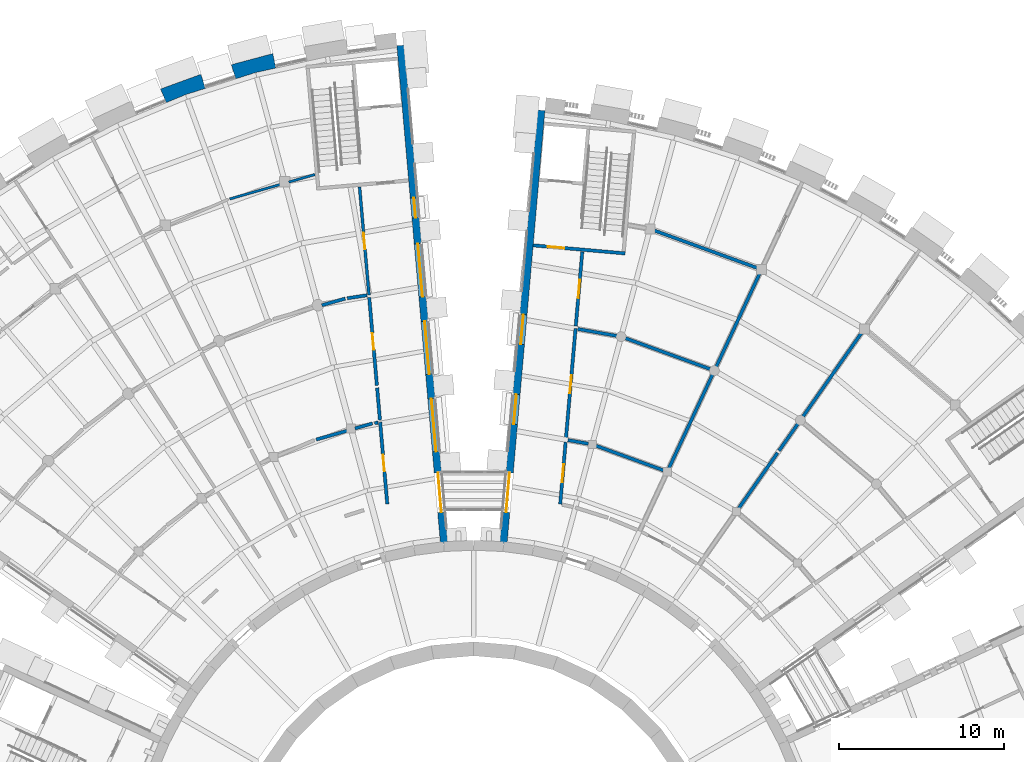
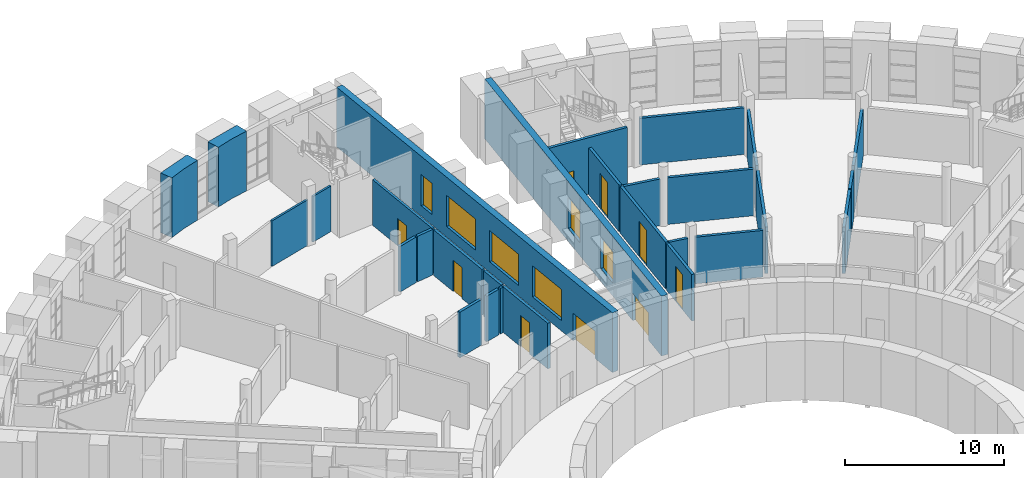
# One storey, part 48 of 66: 29 walls, 9 doors, 6 windows, 15 openings.
"""IFC4 building model written with IfcOpenShell, lengths in metres."""

from ifc_helpers import new_model, si_unit, direction, frame, frame_2d, origin, place, context, subcontext, project, spatial, polyline, rectangle, outline, extrude, material, layer, layer_set, type_object, element, fill, save


model = new_model("IFC4")

# Units and contexts
model_context = context("Model", 3, precision=1e-05, world=origin(), true_north=direction((0.0, 1.0)))
body_context = subcontext(model_context, "Body", "Model", "MODEL_VIEW")
ifc_project = project(units=[si_unit("LENGTHUNIT", "METRE"), si_unit("AREAUNIT", "SQUARE_METRE"), si_unit("VOLUMEUNIT", "CUBIC_METRE"), si_unit("PLANEANGLEUNIT", "RADIAN"), si_unit("MASSUNIT", "GRAM", prefix="KILO")], contexts=[model_context])

# Site, building, storey
site_placement = place(None, origin())
site = spatial("IfcSite", under=ifc_project, at=site_placement, CompositionType="ELEMENT")
building_placement = place(site_placement, origin())
building = spatial("IfcBuilding", under=site, at=building_placement, Name="Volute Hill Aquarium", CompositionType="ELEMENT")
storey_placement = place(building_placement, frame((0.0, 0.0, 4.60009765625)))
storey = spatial("IfcBuildingStorey", under=building, at=storey_placement, Name="L02", CompositionType="ELEMENT", Elevation=4.60009765625)

# Walls
ifc_material_1 = material(Name="Gypsum board on steel studs", Category="steel")
ifc_layer_1 = layer(ifc_material_1, 0.14990234375)
ifc_layer_set_1 = layer_set([ifc_layer_1], Name="Acoustic partition 150")
wall_type_1 = type_object("IfcWallType", Name="Acoustic partition 150", PredefinedType="PARTITIONING", material=ifc_layer_set_1)
wall_1_placement = place(storey_placement, frame((-14.791259765625, 41.697509765625, 0.0), z_axis=(0.0, 0.0, 1.0), x_axis=(0.961256048299, 0.275657050715, 0.0)))
element("IfcWall", 1, at=wall_1_placement, inside=storey, type_object=wall_type_1, Name="pw/S6/L02/023", PredefinedType="PARTITIONING", context=body_context, shape_type="SweptSolid", body=[
    extrude(rectangle(XDim=3.2724609375, YDim=0.14990234375, at=frame_2d((1.63623046875, 0.0))), origin(), (0.0, 0.0, 1.0), 3.510009765625),
])
wall_2_placement = place(storey_placement, frame((-11.213623046875, 42.7236328125, 0.0), z_axis=(0.0, 0.0, 1.0), x_axis=(0.961266301996, 0.275621292078, 0.0)))
element("IfcWall", 2, at=wall_2_placement, inside=storey, type_object=wall_type_1, Name="pw/S6/L02/039", PredefinedType="PARTITIONING", context=body_context, shape_type="SweptSolid", body=[
    extrude(rectangle(XDim=1.6474609375, YDim=0.14990234375, at=frame_2d((0.82373046875, 0.0))), origin(), (0.0, 0.0, 1.0), 3.510009765625),
])

# Wall, opening, door
ifc_material_2 = material(Name="Concrete C30/37", Category="concrete")
ifc_layer_2 = layer(ifc_material_2, 0.199951171875)
ifc_layer_set_2 = layer_set([ifc_layer_2], Name="Core wall 200 REI 60")
wall_type_2 = type_object("IfcWallType", Name="Core wall 200 REI 60", PredefinedType="SHEAR", material=ifc_layer_set_2)
wall_3_placement = place(storey_placement, frame((3.602783203125, 38.884033203125, 0.0), z_axis=(0.0, 0.0, 1.0), x_axis=(0.996195137027, -0.087150725554, 0.0)))
wall_3 = element("IfcWall", 3, at=wall_3_placement, inside=storey, type_object=wall_type_2, Name="wc/S5-B/L02/in", PredefinedType="SHEAR", context=body_context, shape_type="SweptSolid", body=[
    extrude(rectangle(XDim=5.599853515625, YDim=0.199951171875, at=frame_2d((2.7998046875, 0.0))), origin(), (0.0, 0.0, 1.0), 4.349853515625),
])
opening_1_placement = place(wall_3_placement, frame((0.89990234375, 0.0, 0.0)))
opening_1 = element("IfcOpeningElement", 4, at=opening_1_placement, cuts=wall_3, Name="Opening D5.02.BS", PredefinedType="OPENING", context=body_context, shape_type="SweptSolid", body=[
    extrude(rectangle(XDim=1.0, YDim=2.10009765625, at=frame_2d((0.5, 1.050048828125))), frame((0.0, 0.10986328125, 0.0), z_axis=(0.0, -1.0, 0.0), x_axis=(1.0, 0.0, 0.0)), (0.0, 0.0, 1.0), 0.219970703125),
])
ifc_material_3 = material(Name="Timber, fire-rated", Category="wood")
door_type_1 = type_object("IfcDoorType", Name="Door 1000 x 2100 single EI1 30", OperationType="SINGLE_SWING_LEFT", PredefinedType="DOOR", material=ifc_material_3)
door_1_placement = place(opening_1_placement, origin())
door_1 = element("IfcDoor", 5, at=door_1_placement, inside=storey, type_object=door_type_1, Name="d/S5-B/L02/st", OperationType="SINGLE_SWING_RIGHT", OverallHeight=2.10009765625, OverallWidth=1.0, PredefinedType="DOOR", context=body_context, shape_type="SweptSolid", body=[
    extrude(rectangle(XDim=1.0, YDim=2.10009765625, at=frame_2d((0.5, 1.050048828125))), frame((0.0, 0.02490234375, 0.0), z_axis=(0.0, -1.0, 0.0), x_axis=(1.0, 0.0, 0.0)), (0.0, 0.0, 1.0), 0.050048828125),
])
fill(opening_1, door_1)

ifc_material_4 = material(Name="Gypsum board on steel studs", Category="steel")
ifc_layer_3 = layer(ifc_material_4, 0.175048828125)
ifc_layer_set_3 = layer_set([ifc_layer_3], Name="Corridor partition 175 EI 60")
wall_type_3 = type_object("IfcWallType", Name="Corridor partition 175 EI 60", PredefinedType="PARTITIONING", material=ifc_layer_set_3)
wall_4_placement = place(storey_placement, frame((-6.35107421875, 35.8779296875, 0.0), z_axis=(0.0, 0.0, 1.0), x_axis=(-0.087183992952, 0.996192226115, 0.0)))
wall_4 = element("IfcWall", 6, at=wall_4_placement, inside=storey, type_object=wall_type_3, Name="pw/S6/L02/007", PredefinedType="PARTITIONING", context=body_context, shape_type="SweptSolid", body=[
    extrude(rectangle(XDim=6.5751953125, YDim=0.175048828125, at=frame_2d((3.28759765625, 0.0))), origin(), (0.0, 0.0, 1.0), 3.510009765625),
])
opening_2_placement = place(wall_4_placement, frame((2.78759765625, 0.0, 0.0)))
opening_2 = element("IfcOpeningElement", 7, at=opening_2_placement, cuts=wall_4, Name="Opening D6.02.05", PredefinedType="OPENING", context=body_context, shape_type="SweptSolid", body=[
    extrude(rectangle(XDim=1.0, YDim=2.10009765625, at=frame_2d((0.5, 1.050048828125))), frame((0.0, 0.097412109375, 0.0), z_axis=(0.0, -1.0, 0.0), x_axis=(1.0, 0.0, 0.0)), (0.0, 0.0, 1.0), 0.195068359375),
])
door_2_placement = place(opening_2_placement, origin())
door_2 = element("IfcDoor", 8, at=door_2_placement, inside=storey, type_object=door_type_1, Name="d/S6/L02/05", OperationType="SINGLE_SWING_LEFT", OverallHeight=2.10009765625, OverallWidth=1.0, PredefinedType="DOOR", context=body_context, shape_type="SweptSolid", body=[
    extrude(rectangle(XDim=1.0, YDim=2.10009765625, at=frame_2d((0.5, 1.050048828125))), frame((0.0, 0.02490234375, 0.0), z_axis=(0.0, -1.0, 0.0), x_axis=(1.0, 0.0, 0.0)), (0.0, 0.0, 1.0), 0.050048828125),
])
fill(opening_2, door_2)

# Wall, openings, door, windows
ifc_material_5 = material(Name="Concrete C35/45", Category="concrete")
ifc_layer_4 = layer(ifc_material_5, 0.449951171875)
ifc_layer_set_4 = layer_set([ifc_layer_4], Name="End wall 450 C35/45")
wall_type_4 = type_object("IfcWallType", Name="End wall 450 C35/45", PredefinedType="SHEAR", material=ifc_layer_set_4)
wall_5_placement = place(storey_placement, frame((1.796630859375, 20.822509765625, 0.0), z_axis=(0.0, 0.0, 1.0), x_axis=(0.087157755473, 0.996194521999, 0.0)))
wall_5 = element("IfcWall", 9, at=wall_5_placement, inside=storey, type_object=wall_type_4, Name="sw/S5/L02/endB", PredefinedType="SHEAR", context=body_context, shape_type="SweptSolid", body=[
    extrude(rectangle(XDim=26.350341796875, YDim=0.449951171875, at=frame_2d((13.17529296875, 0.0))), origin(), (0.0, 0.0, 1.0), 4.599853515625),
])
opening_3_placement = place(wall_5_placement, frame((7.252197265625, 0.0, 1.0)))
opening_3 = element("IfcOpeningElement", 10, at=opening_3_placement, cuts=wall_5, Name="Opening W13", PredefinedType="OPENING", context=body_context, shape_type="SweptSolid", body=[
    extrude(rectangle(XDim=1.800048828125, YDim=2.39990234375, at=frame_2d((0.89990234375, 1.199951171875))), frame((0.0, 0.23486328125, 0.0), z_axis=(0.0, -1.0, 0.0), x_axis=(1.0, 0.0, 0.0)), (0.0, 0.0, 1.0), 0.469970703125),
])
opening_4_placement = place(wall_5_placement, frame((12.1181640625, 0.0, 1.0)))
opening_4 = element("IfcOpeningElement", 11, at=opening_4_placement, cuts=wall_5, Name="Opening W13", PredefinedType="OPENING", context=body_context, shape_type="SweptSolid", body=[
    extrude(rectangle(XDim=1.800048828125, YDim=2.39990234375, at=frame_2d((0.89990234375, 1.199951171875))), frame((0.0, 0.23486328125, 0.0), z_axis=(0.0, -1.0, 0.0), x_axis=(1.0, 0.0, 0.0)), (0.0, 0.0, 1.0), 0.469970703125),
])
opening_5_placement = place(wall_5_placement, frame((1.900146484375, 0.0, 0.0)))
opening_5 = element("IfcOpeningElement", 12, at=opening_5_placement, cuts=wall_5, Name="Opening D5.02.BB", PredefinedType="OPENING", context=body_context, shape_type="SweptSolid", body=[
    extrude(rectangle(XDim=2.39990234375, YDim=2.10009765625, at=frame_2d((1.199951171875, 1.050048828125))), frame((0.0, 0.23486328125, 0.0), z_axis=(0.0, -1.0, 0.0), x_axis=(1.0, 0.0, 0.0)), (0.0, 0.0, 1.0), 0.469970703125),
])
ifc_material_6 = material(Name="Timber", Category="wood")
door_type_2 = type_object("IfcDoorType", Name="Door 2400 x 2100 bridge double", OperationType="DOUBLE_DOOR_SINGLE_SWING", PredefinedType="DOOR", material=ifc_material_6)
door_3_placement = place(opening_5_placement, origin())
door_3 = element("IfcDoor", 13, at=door_3_placement, inside=storey, type_object=door_type_2, Name="d/S5/L02/brB", OperationType="SINGLE_SWING_LEFT", OverallHeight=2.10009765625, OverallWidth=2.39990234375, PredefinedType="DOOR", context=body_context, shape_type="SweptSolid", body=[
    extrude(rectangle(XDim=2.39990234375, YDim=2.10009765625, at=frame_2d((1.199951171875, 1.050048828125))), frame((0.0, 0.02490234375, 0.0), z_axis=(0.0, -1.0, 0.0), x_axis=(1.0, 0.0, 0.0)), (0.0, 0.0, 1.0), 0.050048828125),
])
fill(opening_5, door_3)
ifc_material_7 = material(Name="Aluminium and glass", Category="aluminium")
window_type_1 = type_object("IfcWindowType", Name="End wall window 1800x2400", PartitioningType="SINGLE_PANEL", PredefinedType="WINDOW", material=ifc_material_7)
window_1_placement = place(opening_3_placement, origin())
window_1 = element("IfcWindow", 14, at=window_1_placement, inside=storey, type_object=window_type_1, Name="End wall window S5B L02 2.1", OverallHeight=2.39990234375, OverallWidth=1.800048828125, PartitioningType="SINGLE_PANEL", PredefinedType="WINDOW", context=body_context, shape_type="SweptSolid", body=[
    extrude(rectangle(XDim=1.800048828125, YDim=2.39990234375, at=frame_2d((0.89990234375, 1.199951171875))), frame((0.0, 0.030029296875, 0.0), z_axis=(0.0, -1.0, 0.0), x_axis=(1.0, 0.0, 0.0)), (0.0, 0.0, 1.0), 0.06005859375),
])
fill(opening_3, window_1)
window_2_placement = place(opening_4_placement, origin())
window_2 = element("IfcWindow", 15, at=window_2_placement, inside=storey, type_object=window_type_1, Name="End wall window S5B L02 3.1", OverallHeight=2.39990234375, OverallWidth=1.800048828125, PartitioningType="SINGLE_PANEL", PredefinedType="WINDOW", context=body_context, shape_type="SweptSolid", body=[
    extrude(rectangle(XDim=1.800048828125, YDim=2.39990234375, at=frame_2d((0.89990234375, 1.199951171875))), frame((0.0, 0.030029296875, 0.0), z_axis=(0.0, -1.0, 0.0), x_axis=(1.0, 0.0, 0.0)), (0.0, 0.0, 1.0), 0.06005859375),
])
fill(opening_4, window_2)

wall_6_placement = place(storey_placement, frame((-1.796630859375, 20.822509765625, 0.0), z_axis=(0.0, 0.0, 1.0), x_axis=(-0.087157054987, 0.996194583285, 0.0)))
wall_6 = element("IfcWall", 16, at=wall_6_placement, inside=storey, type_object=wall_type_4, Name="sw/S6/L02/endA", PredefinedType="SHEAR", context=body_context, shape_type="SweptSolid", body=[
    extrude(rectangle(XDim=30.300048828125, YDim=0.449951171875, at=frame_2d((15.14990234375, 0.0))), origin(), (0.0, 0.0, 1.0), 4.599853515625),
])
opening_6_placement = place(wall_6_placement, frame((5.583251953125, 0.0, 0.800048828125)))
opening_6 = element("IfcOpeningElement", 17, at=opening_6_placement, cuts=wall_6, Name="Opening W15", PredefinedType="OPENING", context=body_context, shape_type="SweptSolid", body=[
    extrude(rectangle(XDim=3.21337890625, YDim=2.39990234375, at=frame_2d((1.606689453125, 1.199951171875))), frame((0.0, 0.23486328125, 0.0), z_axis=(0.0, -1.0, 0.0), x_axis=(1.0, 0.0, 0.0)), (0.0, 0.0, 1.0), 0.469970703125),
])
opening_7_placement = place(wall_6_placement, frame((10.296630859375, 0.0, 0.800048828125)))
opening_7 = element("IfcOpeningElement", 18, at=opening_7_placement, cuts=wall_6, Name="Opening W15", PredefinedType="OPENING", context=body_context, shape_type="SweptSolid", body=[
    extrude(rectangle(XDim=3.21337890625, YDim=2.39990234375, at=frame_2d((1.606689453125, 1.199951171875))), frame((0.0, 0.23486328125, 0.0), z_axis=(0.0, -1.0, 0.0), x_axis=(1.0, 0.0, 0.0)), (0.0, 0.0, 1.0), 0.469970703125),
])
opening_8_placement = place(wall_6_placement, frame((15.010009765625, 0.0, 0.800048828125)))
opening_8 = element("IfcOpeningElement", 19, at=opening_8_placement, cuts=wall_6, Name="Opening W15", PredefinedType="OPENING", context=body_context, shape_type="SweptSolid", body=[
    extrude(rectangle(XDim=3.21337890625, YDim=2.39990234375, at=frame_2d((1.606689453125, 1.199951171875))), frame((0.0, 0.23486328125, 0.0), z_axis=(0.0, -1.0, 0.0), x_axis=(1.0, 0.0, 0.0)), (0.0, 0.0, 1.0), 0.469970703125),
])
opening_9_placement = place(wall_6_placement, frame((19.816650390625, 0.0, 0.800048828125)))
opening_9 = element("IfcOpeningElement", 20, at=opening_9_placement, cuts=wall_6, Name="Opening W16", PredefinedType="OPENING", context=body_context, shape_type="SweptSolid", body=[
    extrude(rectangle(XDim=1.199951171875, YDim=2.39990234375, at=frame_2d((0.60009765625, 1.199951171875))), frame((0.0, 0.23486328125, 0.0), z_axis=(0.0, -1.0, 0.0), x_axis=(1.0, 0.0, 0.0)), (0.0, 0.0, 1.0), 0.469970703125),
])
opening_10_placement = place(wall_6_placement, frame((1.900146484375, 0.0, 0.0)))
opening_10 = element("IfcOpeningElement", 21, at=opening_10_placement, cuts=wall_6, Name="Opening D6.02.BA", PredefinedType="OPENING", context=body_context, shape_type="SweptSolid", body=[
    extrude(rectangle(XDim=2.39990234375, YDim=2.10009765625, at=frame_2d((1.199951171875, 1.050048828125))), frame((0.0, 0.23486328125, 0.0), z_axis=(0.0, -1.0, 0.0), x_axis=(1.0, 0.0, 0.0)), (0.0, 0.0, 1.0), 0.469970703125),
])
door_4_placement = place(opening_10_placement, origin())
door_4 = element("IfcDoor", 22, at=door_4_placement, inside=storey, type_object=door_type_2, Name="d/S6/L02/brA", OperationType="SINGLE_SWING_LEFT", OverallHeight=2.10009765625, OverallWidth=2.39990234375, PredefinedType="DOOR", context=body_context, shape_type="SweptSolid", body=[
    extrude(rectangle(XDim=2.39990234375, YDim=2.10009765625, at=frame_2d((1.199951171875, 1.050048828125))), frame((0.0, 0.02490234375, 0.0), z_axis=(0.0, -1.0, 0.0), x_axis=(1.0, 0.0, 0.0)), (0.0, 0.0, 1.0), 0.050048828125),
])
fill(opening_10, door_4)
ifc_material_8 = material(Name="Aluminium and glass", Category="aluminium")
window_type_2 = type_object("IfcWindowType", Name="End wall window 1200x2400", PartitioningType="SINGLE_PANEL", PredefinedType="WINDOW", material=ifc_material_8)
window_3_placement = place(opening_9_placement, origin())
window_3 = element("IfcWindow", 23, at=window_3_placement, inside=storey, type_object=window_type_2, Name="End wall window S6A L02 5.1", OverallHeight=2.39990234375, OverallWidth=1.199951171875, PartitioningType="SINGLE_PANEL", PredefinedType="WINDOW", context=body_context, shape_type="SweptSolid", body=[
    extrude(rectangle(XDim=1.199951171875, YDim=2.39990234375, at=frame_2d((0.60009765625, 1.199951171875))), frame((0.0, 0.030029296875, 0.0), z_axis=(0.0, -1.0, 0.0), x_axis=(1.0, 0.0, 0.0)), (0.0, 0.0, 1.0), 0.06005859375),
])
fill(opening_9, window_3)
ifc_material_9 = material(Name="Aluminium and glass", Category="aluminium")
window_type_3 = type_object("IfcWindowType", Name="End wall window 3213x2400", PartitioningType="SINGLE_PANEL", PredefinedType="WINDOW", material=ifc_material_9)
window_4_placement = place(opening_6_placement, origin())
window_4 = element("IfcWindow", 24, at=window_4_placement, inside=storey, type_object=window_type_3, Name="End wall window S6A L02 2.1", OverallHeight=2.39990234375, OverallWidth=3.21337890625, PartitioningType="SINGLE_PANEL", PredefinedType="WINDOW", context=body_context, shape_type="SweptSolid", body=[
    extrude(rectangle(XDim=3.21337890625, YDim=2.39990234375, at=frame_2d((1.606689453125, 1.199951171875))), frame((0.0, 0.030029296875, 0.0), z_axis=(0.0, -1.0, 0.0), x_axis=(1.0, 0.0, 0.0)), (0.0, 0.0, 1.0), 0.06005859375),
])
fill(opening_6, window_4)
window_5_placement = place(opening_7_placement, origin())
window_5 = element("IfcWindow", 25, at=window_5_placement, inside=storey, type_object=window_type_3, Name="End wall window S6A L02 3.1", OverallHeight=2.39990234375, OverallWidth=3.21337890625, PartitioningType="SINGLE_PANEL", PredefinedType="WINDOW", context=body_context, shape_type="SweptSolid", body=[
    extrude(rectangle(XDim=3.21337890625, YDim=2.39990234375, at=frame_2d((1.606689453125, 1.199951171875))), frame((0.0, 0.030029296875, 0.0), z_axis=(0.0, -1.0, 0.0), x_axis=(1.0, 0.0, 0.0)), (0.0, 0.0, 1.0), 0.06005859375),
])
fill(opening_7, window_5)
window_6_placement = place(opening_8_placement, origin())
window_6 = element("IfcWindow", 26, at=window_6_placement, inside=storey, type_object=window_type_3, Name="End wall window S6A L02 4.1", OverallHeight=2.39990234375, OverallWidth=3.21337890625, PartitioningType="SINGLE_PANEL", PredefinedType="WINDOW", context=body_context, shape_type="SweptSolid", body=[
    extrude(rectangle(XDim=3.21337890625, YDim=2.39990234375, at=frame_2d((1.606689453125, 1.199951171875))), frame((0.0, 0.030029296875, 0.0), z_axis=(0.0, -1.0, 0.0), x_axis=(1.0, 0.0, 0.0)), (0.0, 0.0, 1.0), 0.06005859375),
])
fill(opening_8, window_6)

# Wall, opening, door
ifc_material_10 = material(Name="Masonry blockwork", Category="masonry")
ifc_layer_5 = layer(ifc_material_10, 0.199951171875)
ifc_layer_set_5 = layer_set([ifc_layer_5], Name="Fire partition 200 EI 60")
wall_type_5 = type_object("IfcWallType", Name="Fire partition 200 EI 60", PredefinedType="PARTITIONING", material=ifc_layer_set_5)
wall_7_placement = place(storey_placement, frame((6.17236328125, 33.835693359375, 0.0), z_axis=(0.0, 0.0, 1.0), x_axis=(-0.087153066589, -0.996194932222, 0.0)))
wall_7 = element("IfcWall", 27, at=wall_7_placement, inside=storey, type_object=wall_type_5, Name="pw/S5/L02/001", PredefinedType="PARTITIONING", context=body_context, shape_type="SweptSolid", body=[
    extrude(rectangle(XDim=6.76220703125, YDim=0.199951171875, at=frame_2d((3.381103515625, 0.0))), origin(), (0.0, 0.0, 1.0), 3.58984375),
])
opening_11_placement = place(wall_7_placement, frame((2.831298828125, 0.0, 0.0)))
opening_11 = element("IfcOpeningElement", 28, at=opening_11_placement, cuts=wall_7, Name="Opening D5.02.05", PredefinedType="OPENING", context=body_context, shape_type="SweptSolid", body=[
    extrude(rectangle(XDim=1.10009765625, YDim=2.699951171875, at=frame_2d((0.550048828125, 1.35009765625))), frame((0.0, 0.10986328125, 0.0), z_axis=(0.0, -1.0, 0.0), x_axis=(1.0, 0.0, 0.0)), (0.0, 0.0, 1.0), 0.219970703125),
])
ifc_material_11 = material(Name="Steel, fire-rated", Category="steel")
door_type_3 = type_object("IfcDoorType", Name="Door 1100 x 2700 animal care EI1 30", OperationType="SINGLE_SWING_LEFT", PredefinedType="DOOR", material=ifc_material_11)
door_5_placement = place(opening_11_placement, origin())
door_5 = element("IfcDoor", 29, at=door_5_placement, inside=storey, type_object=door_type_3, Name="d/S5/L02/05", OperationType="SINGLE_SWING_LEFT", OverallHeight=2.699951171875, OverallWidth=1.10009765625, PredefinedType="DOOR", context=body_context, shape_type="SweptSolid", body=[
    extrude(rectangle(XDim=1.10009765625, YDim=2.699951171875, at=frame_2d((0.550048828125, 1.35009765625))), frame((0.0, 0.02490234375, 0.0), z_axis=(0.0, -1.0, 0.0), x_axis=(1.0, 0.0, 0.0)), (0.0, 0.0, 1.0), 0.050048828125),
])
fill(opening_11, door_5)

# Walls
wall_8_placement = place(storey_placement, frame((10.911376953125, 39.798583984375, 0.0), z_axis=(0.0, 0.0, 1.0), x_axis=(0.939697881893, -0.342005688208, 0.0)))
element("IfcWall", 30, at=wall_8_placement, inside=storey, type_object=wall_type_5, Name="pw/S5/L02/002", PredefinedType="PARTITIONING", context=body_context, shape_type="SweptSolid", body=[
    extrude(rectangle(XDim=6.71728515625, YDim=0.199951171875, at=frame_2d((3.358642578125, 0.0))), origin(), (0.0, 0.0, 1.0), 3.58984375),
])
wall_9_placement = place(storey_placement, frame((14.692138671875, 31.507568359375, 0.0), z_axis=(0.0, 0.0, 1.0), x_axis=(0.422645077375, 0.906295282218, 0.0)))
element("IfcWall", 31, at=wall_9_placement, inside=storey, type_object=wall_type_5, Name="pw/S5/L02/004", PredefinedType="PARTITIONING", context=body_context, shape_type="SweptSolid", body=[
    extrude(rectangle(XDim=6.283203125, YDim=0.199951171875, at=frame_2d((3.1416015625, 0.0))), origin(), (0.0, 0.0, 1.0), 3.58984375),
])
for number, where, z_axis, x_axis, name in (
    (32, (11.834228515625, 25.378662109375, 0.0), (0.0, 0.0, 1.0), (0.42261316076, 0.906310165646, 0.0), "pw/S5/L02/005"),
    (33, (23.5439453125, 33.624267578125, 0.0), (0.0, 0.0, 1.0), (-0.573574477874, -0.819153415626, 0.0), "pw/S5/L02/006"),
):
    element("IfcWall", number, at=place(storey_placement, frame(where, z_axis=z_axis, x_axis=x_axis)), inside=storey, type_object=wall_type_5, Name=name, PredefinedType="PARTITIONING", context=body_context, shape_type="SweptSolid", body=[
        extrude(rectangle(XDim=6.282958984375, YDim=0.199951171875, at=frame_2d((3.1416015625, 0.0))), origin(), (0.0, 0.0, 1.0), 3.58984375),
    ])
wall_10_placement = place(storey_placement, frame((9.160888671875, 33.2666015625, 0.0), z_axis=(0.0, 0.0, 1.0), x_axis=(0.939694284746, -0.342015571599, 0.0)))
element("IfcWall", 34, at=wall_10_placement, inside=storey, type_object=wall_type_5, Name="pw/S5/L02/009", PredefinedType="PARTITIONING", context=body_context, shape_type="SweptSolid", body=[
    extrude(rectangle(XDim=5.53857421875, YDim=0.199951171875, at=frame_2d((2.769287109375, 0.0))), origin(), (0.0, 0.0, 1.0), 3.58984375),
])

# Wall, opening, door
wall_11_placement = place(storey_placement, frame((6.579833984375, 38.492919921875, 0.0), z_axis=(0.0, 0.0, 1.0), x_axis=(-0.087139507724, -0.996196118339, 0.0)))
wall_11 = element("IfcWall", 35, at=wall_11_placement, inside=storey, type_object=wall_type_5, Name="pw/S5/L02/011", PredefinedType="PARTITIONING", context=body_context, shape_type="SweptSolid", body=[
    extrude(rectangle(XDim=4.524658203125, YDim=0.199951171875, at=frame_2d((2.26220703125, 0.0))), origin(), (0.0, 0.0, 1.0), 3.58984375),
])
opening_12_placement = place(wall_11_placement, frame((1.71240234375, 0.0, 0.0)))
opening_12 = element("IfcOpeningElement", 36, at=opening_12_placement, cuts=wall_11, Name="Opening D5.02.07", PredefinedType="OPENING", context=body_context, shape_type="SweptSolid", body=[
    extrude(rectangle(XDim=1.10009765625, YDim=2.699951171875, at=frame_2d((0.550048828125, 1.35009765625))), frame((0.0, 0.10986328125, 0.0), z_axis=(0.0, -1.0, 0.0), x_axis=(1.0, 0.0, 0.0)), (0.0, 0.0, 1.0), 0.219970703125),
])
door_6_placement = place(opening_12_placement, origin())
door_6 = element("IfcDoor", 37, at=door_6_placement, inside=storey, type_object=door_type_3, Name="d/S5/L02/07", OperationType="SINGLE_SWING_LEFT", OverallHeight=2.699951171875, OverallWidth=1.10009765625, PredefinedType="DOOR", context=body_context, shape_type="SweptSolid", body=[
    extrude(rectangle(XDim=1.10009765625, YDim=2.699951171875, at=frame_2d((0.550048828125, 1.35009765625))), frame((0.0, 0.02490234375, 0.0), z_axis=(0.0, -1.0, 0.0), x_axis=(1.0, 0.0, 0.0)), (0.0, 0.0, 1.0), 0.050048828125),
])
fill(opening_12, door_6)

# Walls
wall_12_placement = place(storey_placement, frame((7.410888671875, 26.734619140625, 0.0), z_axis=(0.0, 0.0, 1.0), x_axis=(0.939682191011, -0.342048797538, 0.0)))
element("IfcWall", 38, at=wall_12_placement, inside=storey, type_object=wall_type_5, Name="pw/S5/L02/014", PredefinedType="PARTITIONING", context=body_context, shape_type="SweptSolid", body=[
    extrude(rectangle(XDim=4.359619140625, YDim=0.199951171875, at=frame_2d((2.1796875, 0.0))), origin(), (0.0, 0.0, 1.0), 3.58984375),
])
wall_13_placement = place(storey_placement, frame((18.421142578125, 26.30810546875, 0.0), z_axis=(0.0, 0.0, 1.0), x_axis=(-0.573589781111, -0.819142700026, 0.0)))
element("IfcWall", 39, at=wall_13_placement, inside=storey, type_object=wall_type_5, Name="pw/S5/L02/016", PredefinedType="PARTITIONING", context=body_context, shape_type="SweptSolid", body=[
    extrude(rectangle(XDim=4.1142578125, YDim=0.199951171875, at=frame_2d((2.05712890625, 0.0))), origin(), (0.0, 0.0, 1.0), 3.58984375),
])

# Wall, opening, door
wall_14_placement = place(storey_placement, frame((5.570068359375, 26.94970703125, 0.0), z_axis=(0.0, 0.0, 1.0), x_axis=(-0.087196662223, -0.996191117255, 0.0)))
wall_14 = element("IfcWall", 40, at=wall_14_placement, inside=storey, type_object=wall_type_5, Name="pw/S5/L02/018", PredefinedType="PARTITIONING", context=body_context, shape_type="SweptSolid", body=[
    extrude(rectangle(XDim=3.771484375, YDim=0.199951171875, at=frame_2d((1.8857421875, 0.0))), origin(), (0.0, 0.0, 1.0), 3.58984375),
])
opening_13_placement = place(wall_14_placement, frame((1.335693359375, 0.0, 0.0)))
opening_13 = element("IfcOpeningElement", 41, at=opening_13_placement, cuts=wall_14, Name="Opening D5.02.03", PredefinedType="OPENING", context=body_context, shape_type="SweptSolid", body=[
    extrude(rectangle(XDim=1.10009765625, YDim=2.699951171875, at=frame_2d((0.550048828125, 1.35009765625))), frame((0.0, 0.10986328125, 0.0), z_axis=(0.0, -1.0, 0.0), x_axis=(1.0, 0.0, 0.0)), (0.0, 0.0, 1.0), 0.219970703125),
])
door_7_placement = place(opening_13_placement, origin())
door_7 = element("IfcDoor", 42, at=door_7_placement, inside=storey, type_object=door_type_3, Name="d/S5/L02/03", OperationType="SINGLE_SWING_LEFT", OverallHeight=2.699951171875, OverallWidth=1.10009765625, PredefinedType="DOOR", context=body_context, shape_type="SweptSolid", body=[
    extrude(rectangle(XDim=1.10009765625, YDim=2.699951171875, at=frame_2d((0.550048828125, 1.35009765625))), frame((0.0, 0.02490234375, 0.0), z_axis=(0.0, -1.0, 0.0), x_axis=(1.0, 0.0, 0.0)), (0.0, 0.0, 1.0), 0.050048828125),
])
fill(opening_13, door_7)

# Walls
wall_15_placement = place(storey_placement, frame((6.300537109375, 33.813232421875, 0.0), z_axis=(0.0, 0.0, 1.0), x_axis=(0.984800706445, -0.173688135993, 0.0)))
element("IfcWall", 43, at=wall_15_placement, inside=storey, type_object=wall_type_5, Name="pw/S5/L02/021", PredefinedType="PARTITIONING", context=body_context, shape_type="SweptSolid", body=[
    extrude(rectangle(XDim=2.43603515625, YDim=0.199951171875, at=frame_2d((1.218017578125, 0.0))), origin(), (0.0, 0.0, 1.0), 3.58984375),
])
wall_16_placement = place(storey_placement, frame((19.665283203125, 28.084716796875, 0.0), z_axis=(0.0, 0.0, 1.0), x_axis=(-0.573697690177, -0.819067128071, 0.0)))
element("IfcWall", 44, at=wall_16_placement, inside=storey, type_object=wall_type_5, Name="pw/S5/L02/024", PredefinedType="PARTITIONING", context=body_context, shape_type="SweptSolid", body=[
    extrude(rectangle(XDim=2.018798828125, YDim=0.199951171875, at=frame_2d((1.00927734375, 0.0))), origin(), (0.0, 0.0, 1.0), 3.58984375),
])
wall_17_placement = place(storey_placement, frame((5.711181640625, 27.076416015625, 0.0), z_axis=(0.0, 0.0, 1.0), x_axis=(0.984812871034, -0.173619149419, 0.0)))
element("IfcWall", 45, at=wall_17_placement, inside=storey, type_object=wall_type_5, Name="pw/S5/L02/031", PredefinedType="PARTITIONING", context=body_context, shape_type="SweptSolid", body=[
    extrude(rectangle(XDim=1.257080078125, YDim=0.199951171875, at=frame_2d((0.62841796875, 0.0))), origin(), (0.0, 0.0, 1.0), 3.58984375),
])

# Wall, opening, door
wall_18_placement = place(storey_placement, frame((-5.87158203125, 30.396728515625, 0.0), z_axis=(0.0, 0.0, 1.0), x_axis=(-0.087125642308, 0.996197331081, 0.0)))
wall_18 = element("IfcWall", 46, at=wall_18_placement, inside=storey, type_object=wall_type_5, Name="pw/S6/L02/010", PredefinedType="PARTITIONING", context=body_context, shape_type="SweptSolid", body=[
    extrude(rectangle(XDim=5.35205078125, YDim=0.199951171875, at=frame_2d((2.676025390625, 0.0))), origin(), (0.0, 0.0, 1.0), 3.510009765625),
])
opening_14_placement = place(wall_18_placement, frame((2.176025390625, 0.0, 0.0)))
opening_14 = element("IfcOpeningElement", 47, at=opening_14_placement, cuts=wall_18, Name="Opening D6.02.03", PredefinedType="OPENING", context=body_context, shape_type="SweptSolid", body=[
    extrude(rectangle(XDim=1.0, YDim=2.39990234375, at=frame_2d((0.5, 1.199951171875))), frame((0.0, 0.10986328125, 0.0), z_axis=(0.0, -1.0, 0.0), x_axis=(1.0, 0.0, 0.0)), (0.0, 0.0, 1.0), 0.219970703125),
])
ifc_material_12 = material(Name="Steel, fire-rated", Category="steel")
door_type_4 = type_object("IfcDoorType", Name="Door 1000 x 2400 laboratory EI1 30", OperationType="SINGLE_SWING_LEFT", PredefinedType="DOOR", material=ifc_material_12)
door_8_placement = place(opening_14_placement, origin())
door_8 = element("IfcDoor", 48, at=door_8_placement, inside=storey, type_object=door_type_4, Name="d/S6/L02/03", OperationType="SINGLE_SWING_LEFT", OverallHeight=2.39990234375, OverallWidth=1.0, PredefinedType="DOOR", context=body_context, shape_type="SweptSolid", body=[
    extrude(rectangle(XDim=1.0, YDim=2.39990234375, at=frame_2d((0.5, 1.199951171875))), frame((0.0, 0.02490234375, 0.0), z_axis=(0.0, -1.0, 0.0), x_axis=(1.0, 0.0, 0.0)), (0.0, 0.0, 1.0), 0.050048828125),
])
fill(opening_14, door_8)

wall_19_placement = place(storey_placement, frame((-5.2421875, 23.202392578125, 0.0), z_axis=(0.0, 0.0, 1.0), x_axis=(-0.087171821309, 0.996193291269, 0.0)))
wall_19 = element("IfcWall", 49, at=wall_19_placement, inside=storey, type_object=wall_type_5, Name="pw/S6/L02/012", PredefinedType="PARTITIONING", context=body_context, shape_type="SweptSolid", body=[
    extrude(rectangle(XDim=4.97412109375, YDim=0.199951171875, at=frame_2d((2.487060546875, 0.0))), origin(), (0.0, 0.0, 1.0), 3.510009765625),
])
opening_15_placement = place(wall_19_placement, frame((1.987060546875, 0.0, 0.0)))
opening_15 = element("IfcOpeningElement", 50, at=opening_15_placement, cuts=wall_19, Name="Opening D6.02.01", PredefinedType="OPENING", context=body_context, shape_type="SweptSolid", body=[
    extrude(rectangle(XDim=1.0, YDim=2.39990234375, at=frame_2d((0.5, 1.199951171875))), frame((0.0, 0.10986328125, 0.0), z_axis=(0.0, -1.0, 0.0), x_axis=(1.0, 0.0, 0.0)), (0.0, 0.0, 1.0), 0.219970703125),
])
door_9_placement = place(opening_15_placement, origin())
door_9 = element("IfcDoor", 51, at=door_9_placement, inside=storey, type_object=door_type_4, Name="d/S6/L02/01", OperationType="SINGLE_SWING_LEFT", OverallHeight=2.39990234375, OverallWidth=1.0, PredefinedType="DOOR", context=body_context, shape_type="SweptSolid", body=[
    extrude(rectangle(XDim=1.0, YDim=2.39990234375, at=frame_2d((0.5, 1.199951171875))), frame((0.0, 0.02490234375, 0.0), z_axis=(0.0, -1.0, 0.0), x_axis=(1.0, 0.0, 0.0)), (0.0, 0.0, 1.0), 0.050048828125),
])
fill(opening_15, door_9)

# Walls
wall_20_placement = place(storey_placement, frame((-5.688720703125, 28.306884765625, 0.0), z_axis=(0.0, 0.0, 1.0), x_axis=(-0.087110975906, 0.996198613669, 0.0)))
element("IfcWall", 52, at=wall_20_placement, inside=storey, type_object=wall_type_5, Name="pw/S6/L02/033", PredefinedType="PARTITIONING", context=body_context, shape_type="SweptSolid", body=[
    extrude(rectangle(XDim=1.94775390625, YDim=0.199951171875, at=frame_2d((0.973876953125, 0.0))), origin(), (0.0, 0.0, 1.0), 3.510009765625),
])
wall_21_placement = place(storey_placement, frame((-9.55078125, 27.108642578125, 0.0), z_axis=(0.0, 0.0, 1.0), x_axis=(0.961262549372, 0.275634379522, 0.0)))
element("IfcWall", 53, at=wall_21_placement, inside=storey, type_object=wall_type_5, Name="pw/S6/L02/035", PredefinedType="PARTITIONING", context=body_context, shape_type="SweptSolid", body=[
    extrude(rectangle(XDim=1.97705078125, YDim=0.199951171875, at=frame_2d((0.988525390625, 0.0))), origin(), (0.0, 0.0, 1.0), 3.510009765625),
])
wall_22_placement = place(storey_placement, frame((-9.20703125, 35.253173828125, 0.0), z_axis=(0.0, 0.0, 1.0), x_axis=(0.961253533644, 0.275665819531, 0.0)))
element("IfcWall", 54, at=wall_22_placement, inside=storey, type_object=wall_type_5, Name="pw/S6/L02/041", PredefinedType="PARTITIONING", context=body_context, shape_type="SweptSolid", body=[
    extrude(rectangle(XDim=1.467529296875, YDim=0.199951171875, at=frame_2d((0.73388671875, 0.0))), origin(), (0.0, 0.0, 1.0), 3.510009765625),
])
wall_23_placement = place(storey_placement, frame((-7.66796875, 35.67724609375, 0.0), z_axis=(0.0, 0.0, 1.0), x_axis=(0.988600631819, 0.150561584634, 0.0)))
element("IfcWall", 55, at=wall_23_placement, inside=storey, type_object=wall_type_5, Name="pw/S6/L02/042", PredefinedType="PARTITIONING", context=body_context, shape_type="SweptSolid", body=[
    extrude(rectangle(XDim=1.214599609375, YDim=0.199951171875, at=frame_2d((0.607421875, 0.0))), origin(), (0.0, 0.0, 1.0), 3.510009765625),
])
wall_24_placement = place(storey_placement, frame((-7.20166015625, 27.782470703125, 0.0), z_axis=(0.0, 0.0, 1.0), x_axis=(0.96129815515, 0.275510175682, 0.0)))
element("IfcWall", 56, at=wall_24_placement, inside=storey, type_object=wall_type_5, Name="pw/S6/L02/049", PredefinedType="PARTITIONING", context=body_context, shape_type="SweptSolid", body=[
    extrude(rectangle(XDim=1.103271484375, YDim=0.199951171875, at=frame_2d((0.5517578125, 0.0))), origin(), (0.0, 0.0, 1.0), 3.510009765625),
])
wall_25_placement = place(storey_placement, frame((-6.012451171875, 28.106201171875, 0.0), z_axis=(0.0, 0.0, 1.0), x_axis=(0.988757087339, 0.149530673232, 0.0)))
element("IfcWall", 57, at=wall_25_placement, inside=storey, type_object=wall_type_5, Name="pw/S6/L02/055", PredefinedType="PARTITIONING", context=body_context, shape_type="SweptSolid", body=[
    extrude(rectangle(XDim=0.210693359375, YDim=0.199951171875, at=frame_2d((0.10546875, 0.0))), origin(), (0.0, 0.0, 1.0), 3.510009765625),
])
ifc_material_13 = material(Name="Precast concrete C40/50", Category="concrete")
ifc_layer_6 = layer(ifc_material_13, 0.89990234375)
ifc_layer_set_6 = layer_set([ifc_layer_6], Name="Outer pier precast concrete C40/50 900")
wall_type_6 = type_object("IfcWallType", Name="Outer pier precast concrete C40/50 900", PredefinedType="NOTDEFINED", material=ifc_layer_set_6)
wall_26_placement = place(storey_placement, origin())
element("IfcWall", 58, at=wall_26_placement, inside=storey, type_object=wall_type_6, Name="Outer pier OWP S6 L02 3", PredefinedType="NOTDEFINED", context=body_context, shape_type="SweptSolid", body=[
    extrude(outline(polyline([(-11.993408203125, 49.631591796875), (-12.188232421875, 50.51025390625), (-14.69970703125, 49.837158203125), (-14.42919921875, 48.97900390625), (-13.2255859375, 49.3583984375), (-11.993408203125, 49.631591796875)])), origin(), (0.0, 0.0, 1.0), 4.599853515625),
])
wall_27_placement = place(storey_placement, origin())
element("IfcWall", 59, at=wall_27_placement, inside=storey, type_object=wall_type_6, Name="Outer pier OWP S6 L02 4", PredefinedType="NOTDEFINED", context=body_context, shape_type="SweptSolid", body=[
    extrude(outline(polyline([(-16.2734375, 48.3974609375), (-16.544189453125, 49.255859375), (-18.987548828125, 48.366455078125), (-18.64306640625, 47.534912109375), (-17.47705078125, 48.017822265625), (-16.2734375, 48.3974609375)])), origin(), (0.0, 0.0, 1.0), 4.599853515625),
])

save(model, "model.ifc")
